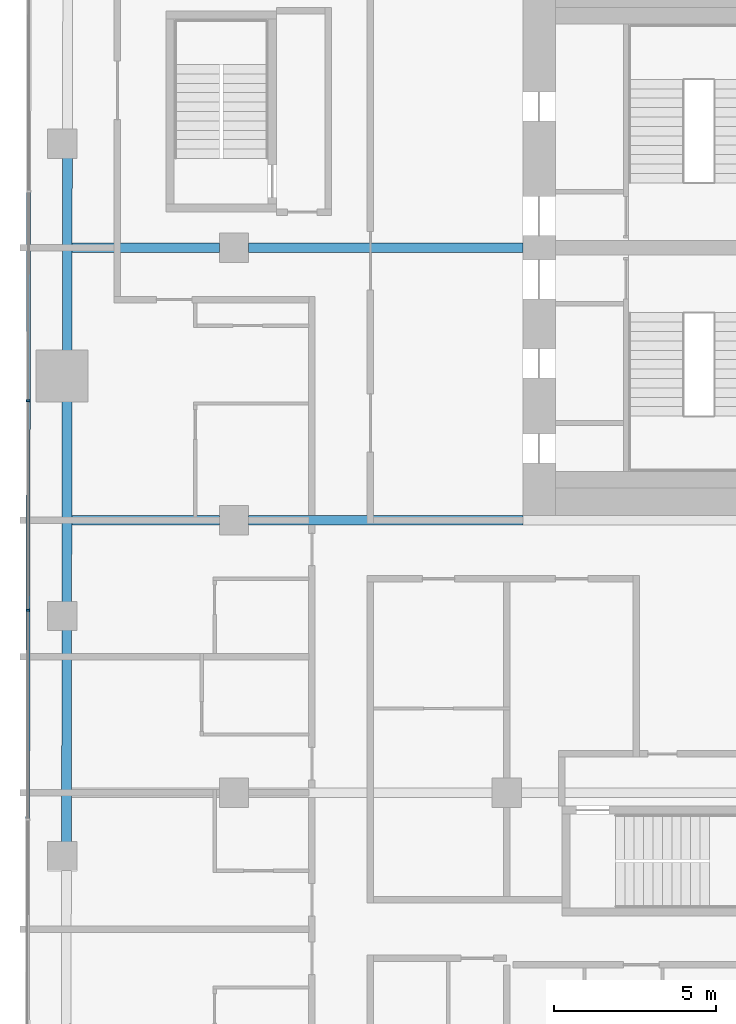
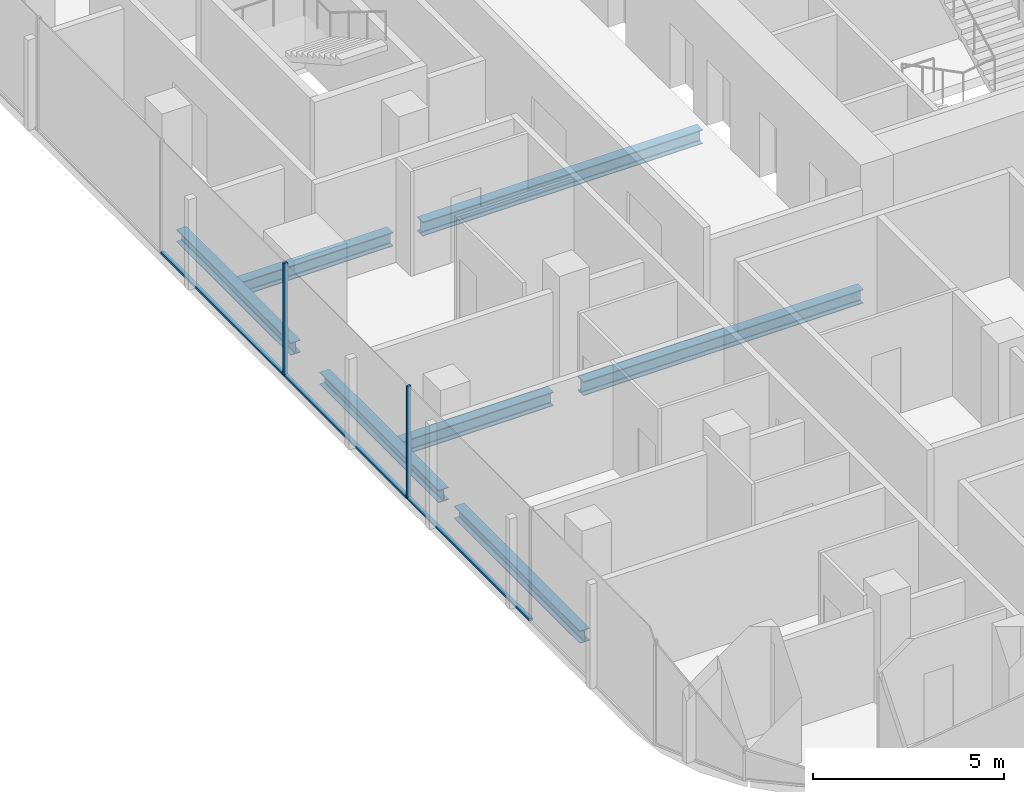
# One storey, part 4 of 23: 7 beams, 5 members, 1 element without a shape of its own.
"""IFC4 building model written with IfcOpenShell, lengths in metres."""

from ifc_helpers import new_model, si_unit, direction, frame, origin, origin_2d, place, context, subcontext, project, spatial, rectangle, i_section, extrude, material, layer, layer_set, material_profile, profile_set, type_object, element, aggregate, save


model = new_model("IFC4")

# Units and contexts
model_context = context("Model", 3, precision=1e-05, world=origin(), true_north=direction((0.0, 1.0)))
body_context = subcontext(model_context, "Body", "Model", "MODEL_VIEW")
ifc_project = project(units=[si_unit("LENGTHUNIT", "METRE"), si_unit("AREAUNIT", "SQUARE_METRE"), si_unit("VOLUMEUNIT", "CUBIC_METRE"), si_unit("PLANEANGLEUNIT", "RADIAN"), si_unit("MASSUNIT", "GRAM", prefix="KILO")], contexts=[model_context])

# Site, building, storey
site_placement = place(None, origin())
site = spatial("IfcSite", under=ifc_project, at=site_placement, CompositionType="ELEMENT")
building_placement = place(site_placement, origin())
building = spatial("IfcBuilding", under=site, at=building_placement, Name="Marenta Gate Hotel Tower", CompositionType="ELEMENT")
storey_placement = place(building_placement, frame((0.0, 0.0, 155.300048828125)))
storey = spatial("IfcBuildingStorey", under=building, at=storey_placement, Name="L36", CompositionType="ELEMENT", Elevation=155.300048828125)

# Beams
ifc_material_1 = material(Name="Steel S355", Category="steel")
ifc_material_profile_1 = material_profile(ifc_material_1, i_section(OverallWidth=0.300048828125, OverallDepth=0.39990234375, WebThickness=0.013427734375, FlangeThickness=0.02392578125, FilletRadius=0.027099609375, at=origin_2d()), Name="HEB 400")
ifc_profile_set_1 = profile_set([ifc_material_profile_1], Name="Steel S355")
beam_type_1 = type_object("IfcBeamType", Name="Edge beam HEB 400", PredefinedType="SPANDREL", material=ifc_profile_set_1)
beam_1_placement = place(storey_placement, frame((-26.167236328125, -9.94189453125, -0.4599609375), z_axis=(0.001372605919, 0.999999057976, 0.0), x_axis=(-0.999999057976, 0.001372605919, 0.0)))
element("IfcBeam", 1, at=beam_1_placement, inside=storey, type_object=beam_type_1, Name="L36-EB-6", PredefinedType="SPANDREL", context=body_context, shape_type="SweptSolid", body=[
    extrude(i_section(OverallWidth=0.300048828125, OverallDepth=0.39990234375, WebThickness=0.013427734375, FlangeThickness=0.02392578125, FilletRadius=0.027099609375, at=origin_2d()), origin(), (0.0, 0.0, 1.0), 6.5810546875),
])
beam_2_placement = place(storey_placement, frame((-26.156982421875, -2.541015625, -0.4599609375), z_axis=(0.001371364591, 0.999999059679, 0.0), x_axis=(-0.999999059679, 0.001371364591, 0.0)))
element("IfcBeam", 2, at=beam_2_placement, inside=storey, type_object=beam_type_1, Name="L36-EB-7", PredefinedType="SPANDREL", context=body_context, shape_type="SweptSolid", body=[
    extrude(i_section(OverallWidth=0.300048828125, OverallDepth=0.39990234375, WebThickness=0.013427734375, FlangeThickness=0.02392578125, FilletRadius=0.027099609375, at=origin_2d()), origin(), (0.0, 0.0, 1.0), 6.23095703125),
])
beam_3_placement = place(storey_placement, frame((-26.146484375, 5.2099609375, -0.4599609375), z_axis=(0.001387357379, 0.999999037619, 0.0), x_axis=(-0.999999037619, 0.001387357379, 0.0)))
element("IfcBeam", 3, at=beam_3_placement, inside=storey, type_object=beam_type_1, Name="L36-EB-8", PredefinedType="SPANDREL", context=body_context, shape_type="SweptSolid", body=[
    extrude(i_section(OverallWidth=0.300048828125, OverallDepth=0.39990234375, WebThickness=0.013427734375, FlangeThickness=0.02392578125, FilletRadius=0.027099609375, at=origin_2d()), origin(), (0.0, 0.0, 1.0), 5.983154296875),
])
ifc_material_2 = material(Name="Steel S355", Category="steel")
ifc_material_profile_2 = material_profile(ifc_material_2, i_section(OverallWidth=0.300048828125, OverallDepth=0.449951171875, WebThickness=0.013916015625, FlangeThickness=0.02587890625, FilletRadius=0.027099609375, at=origin_2d()), Name="HEB 450")
ifc_profile_set_2 = profile_set([ifc_material_profile_2], Name="Steel S355")
beam_type_2 = type_object("IfcBeamType", Name="Girder HEB 450", PredefinedType="BEAM", material=ifc_profile_set_2)
beam_4_placement = place(storey_placement, frame((-26.003662109375, 0.0, -0.485107421875), z_axis=(1.0, 0.0, 0.0), x_axis=(0.0, 1.0, 0.0)))
element("IfcBeam", 4, at=beam_4_placement, inside=storey, type_object=beam_type_2, Name="L36-GD-15", PredefinedType="BEAM", context=body_context, shape_type="SweptSolid", body=[
    extrude(i_section(OverallWidth=0.300048828125, OverallDepth=0.449951171875, WebThickness=0.013916015625, FlangeThickness=0.02587890625, FilletRadius=0.027099609375, at=origin_2d()), origin(), (0.0, 0.0, 1.0), 4.5537109375),
])
beam_5_placement = place(storey_placement, frame((-20.550048828125, 0.0, -0.485107421875), z_axis=(1.0, 0.0, 0.0), x_axis=(0.0, 1.0, 0.0)))
element("IfcBeam", 5, at=beam_5_placement, inside=storey, type_object=beam_type_2, Name="L36-GD-16", PredefinedType="BEAM", context=body_context, shape_type="SweptSolid", body=[
    extrude(i_section(OverallWidth=0.300048828125, OverallDepth=0.449951171875, WebThickness=0.013916015625, FlangeThickness=0.02587890625, FilletRadius=0.027099609375, at=origin_2d()), origin(), (0.0, 0.0, 1.0), 8.449951171875),
])
beam_6_placement = place(storey_placement, frame((-25.991943359375, 8.39990234375, -0.485107421875), z_axis=(1.0, 0.0, 0.0), x_axis=(0.0, 1.0, 0.0)))
element("IfcBeam", 6, at=beam_6_placement, inside=storey, type_object=beam_type_2, Name="L36-GD-20", PredefinedType="BEAM", context=body_context, shape_type="SweptSolid", body=[
    extrude(i_section(OverallWidth=0.300048828125, OverallDepth=0.449951171875, WebThickness=0.013916015625, FlangeThickness=0.02587890625, FilletRadius=0.027099609375, at=origin_2d()), origin(), (0.0, 0.0, 1.0), 4.5419921875),
])
beam_7_placement = place(storey_placement, frame((-20.550048828125, 8.39990234375, -0.485107421875), z_axis=(1.0, 0.0, 0.0), x_axis=(0.0, 1.0, 0.0)))
element("IfcBeam", 7, at=beam_7_placement, inside=storey, type_object=beam_type_2, Name="L36-GD-21", PredefinedType="BEAM", context=body_context, shape_type="SweptSolid", body=[
    extrude(i_section(OverallWidth=0.300048828125, OverallDepth=0.449951171875, WebThickness=0.013916015625, FlangeThickness=0.02587890625, FilletRadius=0.027099609375, at=origin_2d()), origin(), (0.0, 0.0, 1.0), 8.449951171875),
])

# Curtain wall, members
ifc_material_3 = material(Name="Tinted insulated glass in bronze anodised frame", Category="glass")
ifc_layer = layer(ifc_material_3, 0.1201171875)
ifc_layer_set = layer_set([ifc_layer], Name="Tinted insulated glass in bronze anodised frame")
curtain_wall_type = type_object("IfcCurtainWallType", Name="Tower unitised curtain wall CW1", PredefinedType="NOTDEFINED", material=ifc_layer_set)
curtain_wall_placement = place(storey_placement, origin())
curtain_wall = element("IfcCurtainWall", 8, at=curtain_wall_placement, inside=storey, type_object=curtain_wall_type, Name="CW1 run G03", PredefinedType="NOTDEFINED")
ifc_material_4 = material(Name="Bronze anodised aluminium", Category="aluminium")
ifc_material_profile_3 = material_profile(ifc_material_4, rectangle(XDim=0.1201171875, YDim=0.06005859375, at=origin_2d()), Name="Mullion CW1 60x120 bronze anodised aluminium")
ifc_profile_set_3 = profile_set([ifc_material_profile_3], Name="Bronze anodised aluminium")
member_type_1 = type_object("IfcMemberType", Name="Mullion CW1 60x120 bronze anodised aluminium", PredefinedType="MULLION", material=ifc_profile_set_3)
member_1_placement = place(storey_placement, frame((-27.342529296875, 3.686279296875, 0.0), z_axis=(0.0, 0.0, 1.0), x_axis=(0.99999877375, -0.001566045546, 0.0)))
member_1 = element("IfcMember", 9, at=member_1_placement, type_object=member_type_1, Name="CW1 mullion 4", PredefinedType="MULLION", context=body_context, shape_type="SweptSolid", body=[
    extrude(rectangle(XDim=0.1201171875, YDim=0.06005859375, at=origin_2d()), origin(), (0.0, 0.0, 1.0), 3.599853515625),
])
member_2_placement = place(storey_placement, frame((-27.352783203125, -2.773681640625, 0.0), z_axis=(0.0, 0.0, 1.0), x_axis=(0.99999877375, -0.001566045546, 0.0)))
member_2 = element("IfcMember", 10, at=member_2_placement, type_object=member_type_1, Name="CW1 mullion 5", PredefinedType="MULLION", context=body_context, shape_type="SweptSolid", body=[
    extrude(rectangle(XDim=0.1201171875, YDim=0.06005859375, at=origin_2d()), origin(), (0.0, 0.0, 1.0), 3.599853515625),
])
ifc_material_5 = material(Name="Bronze anodised aluminium", Category="aluminium")
ifc_material_profile_4 = material_profile(ifc_material_5, rectangle(XDim=0.1201171875, YDim=0.06005859375, at=origin_2d()), Name="Transom CW1 60x120 bronze anodised aluminium")
ifc_profile_set_4 = profile_set([ifc_material_profile_4], Name="Bronze anodised aluminium")
member_type_2 = type_object("IfcMemberType", Name="Transom CW1 60x120 bronze anodised aluminium", PredefinedType="USERDEFINED", material=ifc_profile_set_4)
member_3_placement = place(storey_placement, frame((-27.33251953125, 10.1162109375, 0.030029296875), z_axis=(-0.001564047831, -0.999998776876, 0.0), x_axis=(0.999998776876, -0.001564047831, 0.0)))
member_3 = element("IfcMember", 11, at=member_3_placement, type_object=member_type_2, Name="CW1 transom 3.1", ObjectType="TRANSOM", PredefinedType="USERDEFINED", context=body_context, shape_type="SweptSolid", body=[
    extrude(rectangle(XDim=0.1201171875, YDim=0.06005859375, at=origin_2d()), origin(), (0.0, 0.0, 1.0), 6.39990234375),
])
member_4_placement = place(storey_placement, frame((-27.3427734375, 3.65625, 0.030029296875), z_axis=(-0.001563988169, -0.99999877697, 0.0), x_axis=(0.99999877697, -0.001563988169, 0.0)))
member_4 = element("IfcMember", 12, at=member_4_placement, type_object=member_type_2, Name="CW1 transom 4.1", ObjectType="TRANSOM", PredefinedType="USERDEFINED", context=body_context, shape_type="SweptSolid", body=[
    extrude(rectangle(XDim=0.1201171875, YDim=0.06005859375, at=origin_2d()), origin(), (0.0, 0.0, 1.0), 6.400146484375),
])
member_5_placement = place(storey_placement, frame((-27.352783203125, -2.8037109375, 0.030029296875), z_axis=(-0.001563988169, -0.99999877697, 0.0), x_axis=(0.99999877697, -0.001563988169, 0.0)))
member_5 = element("IfcMember", 13, at=member_5_placement, type_object=member_type_2, Name="CW1 transom 5.1", ObjectType="TRANSOM", PredefinedType="USERDEFINED", context=body_context, shape_type="SweptSolid", body=[
    extrude(rectangle(XDim=0.1201171875, YDim=0.06005859375, at=origin_2d()), origin(), (0.0, 0.0, 1.0), 6.400146484375),
])
aggregate(curtain_wall, [member_1, member_2, member_3, member_4, member_5])

save(model, "model.ifc")
